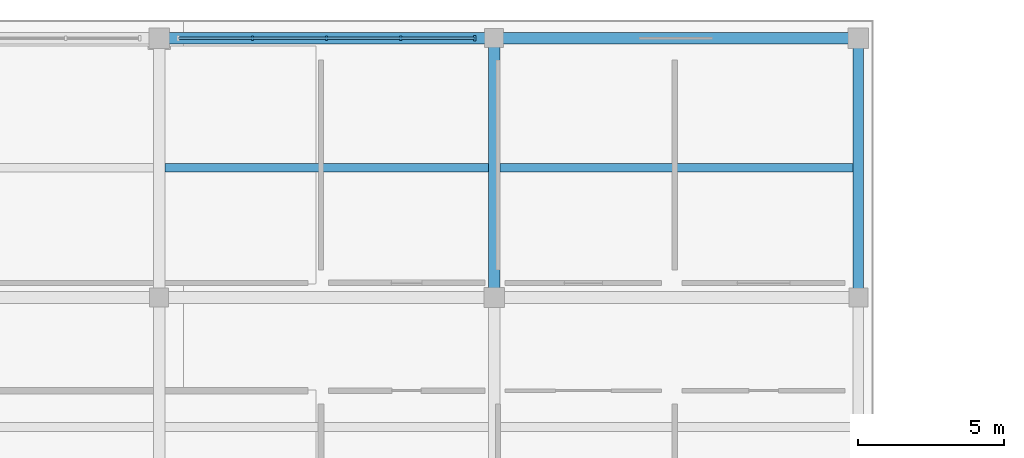
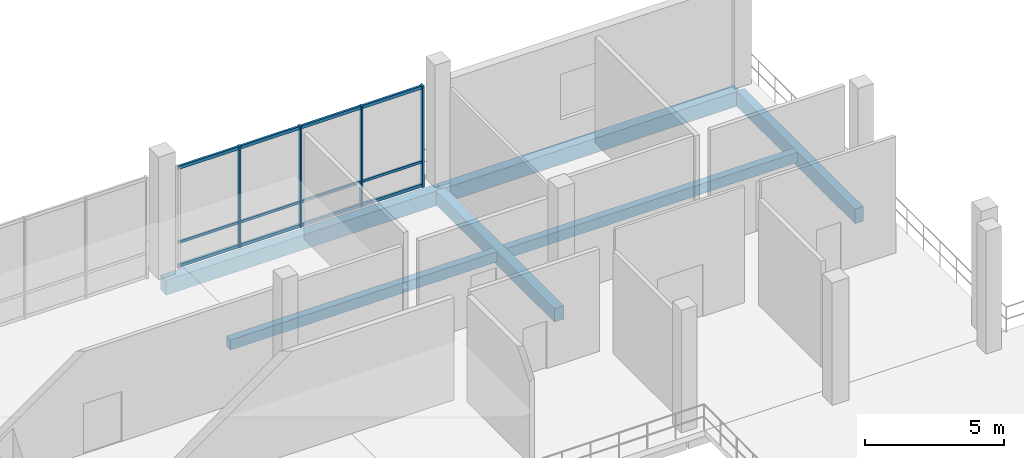
# One storey, part 60 of 127: 7 members, 6 beams, 1 element without a shape of its own.
"""IFC4 building model written with IfcOpenShell, lengths in metres."""

from ifc_helpers import new_model, si_unit, direction, frame, origin, origin_2d, place, context, subcontext, project, spatial, rectangle, extrude, material, material_profile, profile_set, type_object, element, aggregate, save


model = new_model("IFC4")

# Units and contexts
model_context = context("Model", 3, precision=1e-05, world=origin(), true_north=direction((0.0, 1.0)))
body_context = subcontext(model_context, "Body", "Model", "MODEL_VIEW")
ifc_project = project(units=[si_unit("LENGTHUNIT", "METRE"), si_unit("AREAUNIT", "SQUARE_METRE"), si_unit("VOLUMEUNIT", "CUBIC_METRE"), si_unit("PLANEANGLEUNIT", "RADIAN"), si_unit("MASSUNIT", "GRAM", prefix="KILO")], contexts=[model_context])

# Site, building, storey
site_placement = place(None, origin())
site = spatial("IfcSite", under=ifc_project, at=site_placement, CompositionType="ELEMENT")
building_placement = place(site_placement, origin())
building = spatial("IfcBuilding", under=site, at=building_placement, Name="Candeia Ridge Stadium", CompositionType="ELEMENT")
storey_placement = place(building_placement, frame((0.0, 0.0, 10.800048828125)))
storey = spatial("IfcBuildingStorey", under=building, at=storey_placement, Name="L02", CompositionType="ELEMENT", Elevation=10.800048828125)

# Curtain wall, members
ifc_material_1 = material(Name="Aluminium Anodized Warm Bronze", Category="aluminium")
curtain_wall_type = type_object("IfcCurtainWallType", Name="Museum & Boulevard Showcase Curtain Wall", PredefinedType="NOTDEFINED", material=ifc_material_1)
curtain_wall_placement = place(storey_placement, origin())
curtain_wall = element("IfcCurtainWall", 1, at=curtain_wall_placement, inside=storey, type_object=curtain_wall_type, Name="Unitised curtain wall CW-WNG-L02-154", PredefinedType="NOTDEFINED")
ifc_material_profile_1 = material_profile(ifc_material_1, rectangle(XDim=0.090087890625, YDim=0.179931640625, at=origin_2d()), Name="CWM-90x180", Category="aluminium")
ifc_profile_set_1 = profile_set([ifc_material_profile_1], Name="Aluminium Anodized Warm Bronze")
member_type_1 = type_object("IfcMemberType", Name="Curtain Wall Primary Mullion 90x180", PredefinedType="MULLION", material=ifc_profile_set_1)
member_1_placement = place(storey_placement, frame((173.340087890625, 165.39990234375, 0.0), z_axis=(0.0, 0.0, 1.0), x_axis=(1.0, 0.0, 0.0)))
member_1 = element("IfcMember", 2, at=member_1_placement, type_object=member_type_1, Name="Curtain wall mullion CW-WNG-L02-154-M4", PredefinedType="MULLION", context=body_context, shape_type="SweptSolid", body=[
    extrude(rectangle(XDim=0.090087890625, YDim=0.179931640625, at=origin_2d()), origin(), (0.0, 0.0, 1.0), 4.454833984375),
])
ifc_material_profile_2 = material_profile(ifc_material_1, rectangle(XDim=0.074951171875, YDim=0.14990234375, at=origin_2d()), Name="CWM-75x150", Category="aluminium")
ifc_profile_set_2 = profile_set([ifc_material_profile_2], Name="Aluminium Anodized Warm Bronze")
member_type_2 = type_object("IfcMemberType", Name="Curtain Wall Secondary Mullion 75x150", PredefinedType="MULLION", material=ifc_profile_set_2)
member_2_placement = place(storey_placement, frame((165.705078125, 165.39990234375, 0.0), z_axis=(0.0, 0.0, 1.0), x_axis=(1.0, 0.0, 0.0)))
member_2 = element("IfcMember", 3, at=member_2_placement, type_object=member_type_2, Name="Curtain wall mullion CW-WNG-L02-154-M1", PredefinedType="MULLION", context=body_context, shape_type="SweptSolid", body=[
    extrude(rectangle(XDim=0.074951171875, YDim=0.14990234375, at=origin_2d()), origin(), (0.0, 0.0, 1.0), 4.454833984375),
])
member_3_placement = place(storey_placement, frame((168.25, 165.39990234375, 0.0), z_axis=(0.0, 0.0, 1.0), x_axis=(1.0, 0.0, 0.0)))
member_3 = element("IfcMember", 4, at=member_3_placement, type_object=member_type_2, Name="Curtain wall mullion CW-WNG-L02-154-M2", PredefinedType="MULLION", context=body_context, shape_type="SweptSolid", body=[
    extrude(rectangle(XDim=0.074951171875, YDim=0.14990234375, at=origin_2d()), origin(), (0.0, 0.0, 1.0), 4.454833984375),
])
member_4_placement = place(storey_placement, frame((170.794921875, 165.39990234375, 0.0), z_axis=(0.0, 0.0, 1.0), x_axis=(1.0, 0.0, 0.0)))
member_4 = element("IfcMember", 5, at=member_4_placement, type_object=member_type_2, Name="Curtain wall mullion CW-WNG-L02-154-M3", PredefinedType="MULLION", context=body_context, shape_type="SweptSolid", body=[
    extrude(rectangle(XDim=0.074951171875, YDim=0.14990234375, at=origin_2d()), origin(), (0.0, 0.0, 1.0), 4.454833984375),
])
ifc_material_profile_3 = material_profile(ifc_material_1, rectangle(XDim=0.074951171875, YDim=0.110107421875, at=origin_2d()), Name="CWT-75x110", Category="aluminium")
ifc_profile_set_3 = profile_set([ifc_material_profile_3], Name="Aluminium Anodized Warm Bronze")
member_type_3 = type_object("IfcMemberType", Name="Curtain Wall Secondary Transom 75x110", PredefinedType="USERDEFINED", material=ifc_profile_set_3)
member_5_placement = place(storey_placement, frame((163.159912109375, 165.39990234375, 1.099853515625), z_axis=(1.0, 0.0, 0.0), x_axis=(0.0, 1.0, 0.0)))
member_5 = element("IfcMember", 6, at=member_5_placement, type_object=member_type_3, Name="Curtain wall transom CW-WNG-L02-154-T1", ObjectType="TRANSOM", PredefinedType="USERDEFINED", context=body_context, shape_type="SweptSolid", body=[
    extrude(rectangle(XDim=0.074951171875, YDim=0.110107421875, at=origin_2d()), origin(), (0.0, 0.0, 1.0), 10.18017578125),
])
ifc_material_profile_4 = material_profile(ifc_material_1, rectangle(XDim=0.090087890625, YDim=0.139892578125, at=origin_2d()), Name="CWT-90x140", Category="aluminium")
ifc_profile_set_4 = profile_set([ifc_material_profile_4], Name="Aluminium Anodized Warm Bronze")
member_type_4 = type_object("IfcMemberType", Name="Curtain Wall Transom 90x140", PredefinedType="USERDEFINED", material=ifc_profile_set_4)
member_6_placement = place(storey_placement, frame((163.159912109375, 165.39990234375, 0.070068359375), z_axis=(1.0, 0.0, 0.0), x_axis=(0.0, 1.0, 0.0)))
member_6 = element("IfcMember", 7, at=member_6_placement, type_object=member_type_4, Name="Curtain wall transom CW-WNG-L02-154-T0", ObjectType="TRANSOM", PredefinedType="USERDEFINED", context=body_context, shape_type="SweptSolid", body=[
    extrude(rectangle(XDim=0.090087890625, YDim=0.139892578125, at=origin_2d()), origin(), (0.0, 0.0, 1.0), 10.18017578125),
])
member_7_placement = place(storey_placement, frame((163.159912109375, 165.39990234375, 4.385009765625), z_axis=(1.0, 0.0, 0.0), x_axis=(0.0, 1.0, 0.0)))
member_7 = element("IfcMember", 8, at=member_7_placement, type_object=member_type_4, Name="Curtain wall transom CW-WNG-L02-154-T2", ObjectType="TRANSOM", PredefinedType="USERDEFINED", context=body_context, shape_type="SweptSolid", body=[
    extrude(rectangle(XDim=0.090087890625, YDim=0.139892578125, at=origin_2d()), origin(), (0.0, 0.0, 1.0), 10.18017578125),
])
aggregate(curtain_wall, [member_2, member_3, member_4, member_1, member_6, member_5, member_7])

# Beams
ifc_material_2 = material(Name="Concrete C40/50", Category="concrete")
ifc_material_profile_5 = material_profile(ifc_material_2, rectangle(XDim=0.300048828125, YDim=0.449951171875, at=origin_2d()), Name="RC300x450", Category="concrete")
ifc_profile_set_5 = profile_set([ifc_material_profile_5], Name="Concrete C40/50")
beam_type_1 = type_object("IfcBeamType", Name="Floor Joist RC300x450", PredefinedType="JOIST", material=ifc_profile_set_5)
beam_1_placement = place(storey_placement, frame((162.699462890625, 160.949951171875, -0.485107421875), z_axis=(1.0, 0.0, 0.0), x_axis=(0.0, 1.0, 0.0)))
element("IfcBeam", 9, at=beam_1_placement, inside=storey, type_object=beam_type_1, Name="Wing secondary joist BM-L02-1769", PredefinedType="JOIST", context=body_context, shape_type="SweptSolid", body=[
    extrude(rectangle(XDim=0.300048828125, YDim=0.449951171875, at=origin_2d()), origin(), (0.0, 0.0, 1.0), 11.10107421875),
])
beam_2_placement = place(storey_placement, frame((174.199462890625, 160.949951171875, -0.485107421875), z_axis=(1.0, 0.0, 0.0), x_axis=(0.0, 1.0, 0.0)))
element("IfcBeam", 10, at=beam_2_placement, inside=storey, type_object=beam_type_1, Name="Wing secondary joist BM-L02-1774", PredefinedType="JOIST", context=body_context, shape_type="SweptSolid", body=[
    extrude(rectangle(XDim=0.300048828125, YDim=0.449951171875, at=origin_2d()), origin(), (0.0, 0.0, 1.0), 12.1259765625),
])
ifc_material_profile_6 = material_profile(ifc_material_2, rectangle(XDim=0.39990234375, YDim=0.60009765625, at=origin_2d()), Name="RC400x600", Category="concrete")
ifc_profile_set_6 = profile_set([ifc_material_profile_6], Name="Concrete C40/50")
beam_type_2 = type_object("IfcBeamType", Name="Frame Girder RC400x600", PredefinedType="BEAM", material=ifc_profile_set_6)
beam_3_placement = place(storey_placement, frame((174.0, 156.659912109375, -0.56005859375), z_axis=(0.0, 1.0, 0.0), x_axis=(-1.0, 0.0, 0.0)))
element("IfcBeam", 11, at=beam_3_placement, inside=storey, type_object=beam_type_2, Name="Structural girder BM-L02-1743", PredefinedType="BEAM", context=body_context, shape_type="SweptSolid", body=[
    extrude(rectangle(XDim=0.39990234375, YDim=0.60009765625, at=origin_2d()), origin(), (0.0, 0.0, 1.0), 8.580078125),
])
ifc_material_profile_7 = material_profile(ifc_material_2, rectangle(XDim=0.35009765625, YDim=0.64990234375, at=origin_2d()), Name="RC350x650", Category="concrete")
ifc_profile_set_7 = profile_set([ifc_material_profile_7], Name="Concrete C40/50")
beam_type_3 = type_object("IfcBeamType", Name="Spandrel Beam RC350x650", PredefinedType="SPANDREL", material=ifc_profile_set_7)
beam_4_placement = place(storey_placement, frame((186.5, 156.659912109375, -0.5849609375), z_axis=(0.0, 1.0, 0.0), x_axis=(-1.0, 0.0, 0.0)))
element("IfcBeam", 12, at=beam_4_placement, inside=storey, type_object=beam_type_3, Name="Structural girder BM-L02-1745", PredefinedType="SPANDREL", context=body_context, shape_type="SweptSolid", body=[
    extrude(rectangle(XDim=0.35009765625, YDim=0.64990234375, at=origin_2d()), origin(), (0.0, 0.0, 1.0), 8.580078125),
])
ifc_material_profile_8 = material_profile(ifc_material_2, rectangle(XDim=0.39990234375, YDim=0.64990234375, at=origin_2d()), Name="RC400x650", Category="concrete")
ifc_profile_set_8 = profile_set([ifc_material_profile_8], Name="Concrete C40/50")
beam_type_4 = type_object("IfcBeamType", Name="Wing Primary Girder RC400x650", PredefinedType="BEAM", material=ifc_profile_set_8)
beam_5_placement = place(storey_placement, frame((162.550048828125, 165.39990234375, -0.5849609375), z_axis=(1.0, 0.0, 0.0), x_axis=(0.0, 1.0, 0.0)))
element("IfcBeam", 13, at=beam_5_placement, inside=storey, type_object=beam_type_4, Name="Structural girder BM-L02-1770", PredefinedType="BEAM", context=body_context, shape_type="SweptSolid", body=[
    extrude(rectangle(XDim=0.39990234375, YDim=0.64990234375, at=origin_2d()), origin(), (0.0, 0.0, 1.0), 11.39990234375),
])
beam_6_placement = place(storey_placement, frame((174.050048828125, 165.39990234375, -0.5849609375), z_axis=(1.0, 0.0, 0.0), x_axis=(0.0, 1.0, 0.0)))
element("IfcBeam", 14, at=beam_6_placement, inside=storey, type_object=beam_type_4, Name="Structural girder BM-L02-1775", PredefinedType="BEAM", context=body_context, shape_type="SweptSolid", body=[
    extrude(rectangle(XDim=0.39990234375, YDim=0.64990234375, at=origin_2d()), origin(), (0.0, 0.0, 1.0), 12.39990234375),
])

save(model, "model.ifc")
